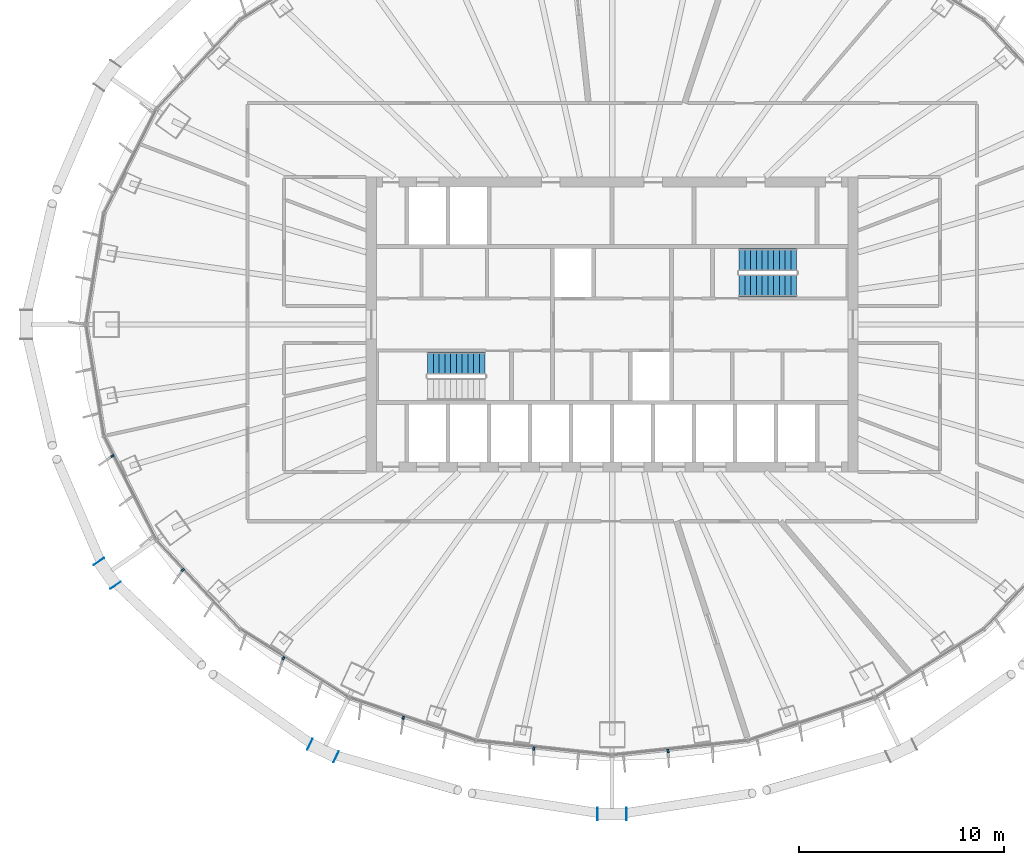
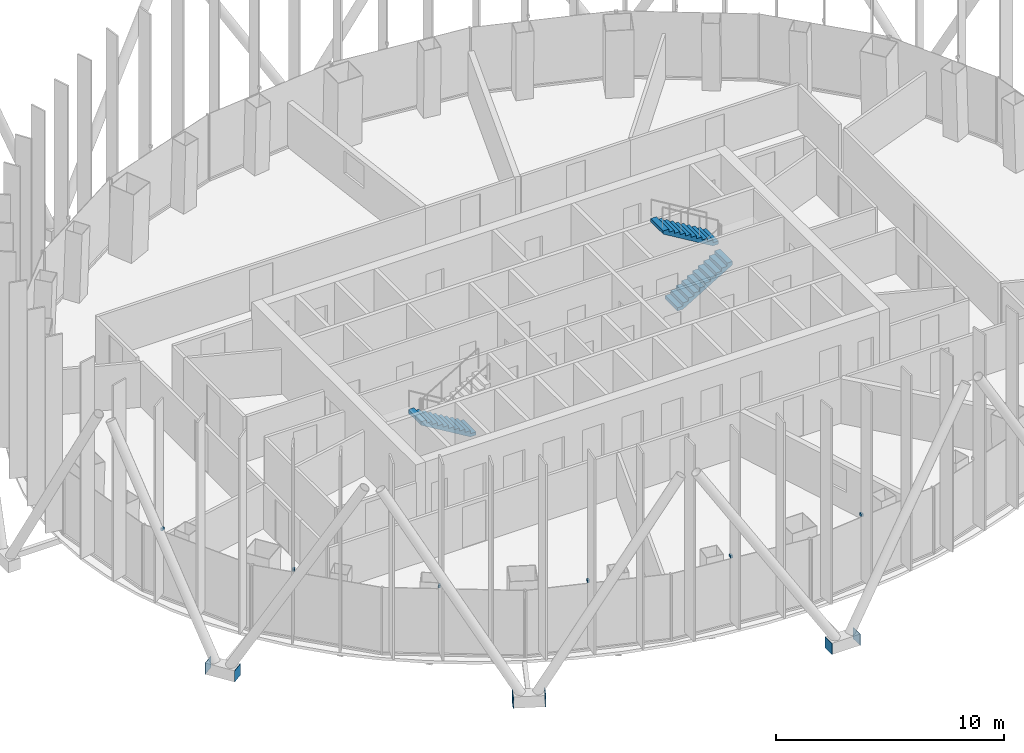
# One storey, part 12 of 20: 12 discrete accessories, 3 stair flights, 2 elements without a shape of their own.
"""IFC4 building model written with IfcOpenShell, lengths in metres."""

import ifcopenshell
import ifcopenshell.guid

model = None  # the IFC model being written
_history = None  # IfcOwnerHistory: only IFC2X3 demands one
_inside = {}  # id of a spatial element -> (the spatial element, [elements in it])
_under = {}  # id of a project, library or spatial element -> (it, [spatial elements below it])
_declared = {}  # id of a project -> (the project, [libraries it declares])
_typed = {}  # id of a type object -> (the type object, [elements of that type])
_made_of = {}  # id of a material, layer set ... -> (it, [elements and type objects made of it])


def new_model(schema):
    """Start an empty IFC model of exactly this schema.

    Asked for "IFC4X3", IfcOpenShell would pick the latest addendum, in which some entities
    have other attributes; the version numbers below select the first issue.
    IFC2X3 requires an IfcOwnerHistory on every rooted entity: one is made here for all.
    """
    global model, _history
    if schema == "IFC4X3":
        model = ifcopenshell.file(schema_version=(4, 3, 0, 0))
    else:
        model = ifcopenshell.file(schema=schema)
    _inside.clear()
    _under.clear()
    _declared.clear()
    _typed.clear()
    _made_of.clear()
    _history = None
    if model.schema == "IFC2X3":
        org = make("IfcOrganization", Name="unknown")
        user = make(
            "IfcPersonAndOrganization",
            ThePerson=make("IfcPerson", FamilyName="unknown"),
            TheOrganization=org,
        )
        app = make(
            "IfcApplication",
            ApplicationDeveloper=org,
            Version="unknown",
            ApplicationFullName="unknown",
            ApplicationIdentifier="unknown",
        )
        _history = make(
            "IfcOwnerHistory",
            OwningUser=user,
            OwningApplication=app,
            ChangeAction="ADDED",
            CreationDate=0,
        )
    return model


def make(cls, **values):
    """One entity of the class cls with the attributes given. An attribute that is None is left unset."""
    return model.create_entity(
        cls, **{name: value for name, value in values.items() if value is not None}
    )


def rooted(cls, **values):
    """An entity with a GlobalId (a new one), such as an element, a storey or a relation."""
    return make(cls, GlobalId=ifcopenshell.guid.new(), OwnerHistory=_history, **values)


def si_unit(unit_type, name, prefix=None):
    """IfcSIUnit, for example si_unit("LENGTHUNIT", "METRE", prefix="MILLI")."""
    return make("IfcSIUnit", UnitType=unit_type, Prefix=prefix, Name=name)


def assignment(units):
    """IfcUnitAssignment: the units of a project."""
    return None if units is None else make("IfcUnitAssignment", Units=units)


def point(xyz):
    """IfcCartesianPoint."""
    return None if xyz is None else make("IfcCartesianPoint", Coordinates=xyz)


def direction(xyz):
    """IfcDirection."""
    return None if xyz is None else make("IfcDirection", DirectionRatios=xyz)


def frame(location, z_axis=None, x_axis=None):
    """IfcAxis2Placement3D, a coordinate frame: its origin and axes. An axis left out is left unset."""
    return make(
        "IfcAxis2Placement3D",
        Location=point(location),
        Axis=direction(z_axis),
        RefDirection=direction(x_axis),
    )


def frame_2d(location, x_axis=None):
    """IfcAxis2Placement2D, a coordinate frame in the plane: its origin and x axis."""
    return make(
        "IfcAxis2Placement2D", Location=point(location), RefDirection=direction(x_axis)
    )


def origin():
    """The frame at (0, 0, 0) with its axes left unset."""
    return frame((0.0, 0.0, 0.0))


def origin_2d():
    """The frame at (0, 0) in the plane with its x axis left unset."""
    return frame_2d((0.0, 0.0))


def place(relative_to, where):
    """IfcLocalPlacement: puts the frame where relative to a parent placement (None: the world)."""
    return make(
        "IfcLocalPlacement", PlacementRelTo=relative_to, RelativePlacement=where
    )


def context(
    kind, dimensions, precision=None, world=None, true_north=None, identifier=None
):
    """IfcGeometricRepresentationContext, for example the 3D "Model" context."""
    return make(
        "IfcGeometricRepresentationContext",
        ContextIdentifier=identifier,
        ContextType=kind,
        CoordinateSpaceDimension=dimensions,
        Precision=precision,
        WorldCoordinateSystem=world,
        TrueNorth=true_north,
    )


def subcontext(parent, identifier, kind, view, scale=None):
    """IfcGeometricRepresentationSubContext, for example "Body" below "Model"."""
    return make(
        "IfcGeometricRepresentationSubContext",
        ContextIdentifier=identifier,
        ContextType=kind,
        ParentContext=parent,
        TargetScale=scale,
        TargetView=view,
    )


def project(units=None, contexts=None):
    """IfcProject with its units and contexts."""
    return rooted(
        "IfcProject",
        Name="project",
        RepresentationContexts=contexts,
        UnitsInContext=assignment(units),
    )


def spatial(cls, under=None, at=None, **own):
    """A site, building, storey or space (cls), placed at a placement, below another one or the project."""
    s = rooted(cls, ObjectPlacement=at, **own)
    if under is not None:
        _under.setdefault(under.id(), (under, []))[1].append(s)
    return s


def polyline(points):
    """IfcPolyline through the points."""
    return make("IfcPolyline", Points=[point(p) for p in points])


def profile(cls, at=None, kind="AREA", **sizes):
    """A parametric profile (cls). Its sizes go by their IFC names, for example OverallWidth=200.0."""
    return make(cls, ProfileType=kind, Position=at, **sizes)


def rectangle(**sizes):
    """IfcRectangleProfileDef."""
    return profile("IfcRectangleProfileDef", **sizes)


def outline(outer, holes=None, kind="AREA"):
    """IfcArbitraryClosedProfileDef: a profile drawn as a closed curve; with holes, ...WithVoids."""
    if holes is None:
        return make("IfcArbitraryClosedProfileDef", ProfileType=kind, OuterCurve=outer)
    return make(
        "IfcArbitraryProfileDefWithVoids",
        ProfileType=kind,
        OuterCurve=outer,
        InnerCurves=holes,
    )


def extrude(swept, where, along, depth):
    """IfcExtrudedAreaSolid: the profile swept, set in the frame where, extruded along a direction by depth."""
    return make(
        "IfcExtrudedAreaSolid",
        SweptArea=swept,
        Position=where,
        ExtrudedDirection=direction(along),
        Depth=depth,
    )


def shape(context_of_items, identifier, shape_type, items):
    """IfcShapeRepresentation: the items that make up one representation, for example the "Body"."""
    return make(
        "IfcShapeRepresentation",
        ContextOfItems=context_of_items,
        RepresentationIdentifier=identifier,
        RepresentationType=shape_type,
        Items=items,
    )


def material(Name=None, Category=None):
    """IfcMaterial."""
    return make("IfcMaterial", Name=Name, Category=Category)


def layer(
    of_material, thickness, ventilated=None, Name=None, Category=None, Priority=None
):
    """IfcMaterialLayer: one layer of a wall or slab, of a material (None: an air gap)."""
    return make(
        "IfcMaterialLayer",
        Material=of_material,
        LayerThickness=thickness,
        IsVentilated=ventilated,
        Name=Name,
        Category=Category,
        Priority=Priority,
    )


def layer_set(layers, Name=None):
    """IfcMaterialLayerSet."""
    return make("IfcMaterialLayerSet", MaterialLayers=layers, LayerSetName=Name)


def made_of(thing, what):
    """Note that an element or type object is made of a material, layer set ...; save() writes the relation."""
    if what is not None:
        _made_of.setdefault(what.id(), (what, []))[1].append(thing)
    return thing


def type_object(cls, material=None, **own):
    """A type object (cls), such as IfcWallType, which elements share."""
    return made_of(rooted(cls, **own), material)


def element(
    cls,
    number,
    at=None,
    inside=None,
    cuts=None,
    type_object=None,
    material=None,
    context=None,
    identifier="Body",
    shape_type=None,
    held_by="IfcProductDefinitionShape",
    body=None,
    shapes=None,
    **own,
):
    """One element of the class cls, such as IfcWall. Its Tag is "e" and its number.

    at: its placement. inside: the storey or other place that contains it. cuts: it is an
    opening in that element (IfcRelVoidsElement). A single representation is given by context,
    identifier, shape_type and body (its items); several are given by shapes. held_by: the class
    of the entity that holds the representations. save() writes the other relations.
    """
    e = rooted(cls, Tag="e%d" % number, ObjectPlacement=at, **own)
    if body is not None:
        shapes = [shape(context, identifier, shape_type, body)]
    if shapes is not None:
        e.Representation = make(held_by, Representations=shapes)
    if inside is not None:
        _inside.setdefault(inside.id(), (inside, []))[1].append(e)
    if cuts is not None:
        rooted(
            "IfcRelVoidsElement", RelatingBuildingElement=cuts, RelatedOpeningElement=e
        )
    if type_object is not None:
        _typed.setdefault(type_object.id(), (type_object, []))[1].append(e)
    return made_of(e, material)


def aggregate(whole, parts):
    """IfcRelAggregates: a whole, such as a stair, and the parts it consists of."""
    return rooted("IfcRelAggregates", RelatingObject=whole, RelatedObjects=parts)


def save(model, path):
    """Write the relations noted so far, then the file.

    IfcRelAggregates (storeys below a building ...), IfcRelContainedInSpatialStructure (elements
    in a storey), IfcRelDefinesByType, IfcRelAssociatesMaterial and IfcRelDeclares: one each for
    every whole, place, type object, material and project.
    """
    for whole, parts in _under.values():
        aggregate(whole, parts)
    for where, things in _inside.values():
        rooted(
            "IfcRelContainedInSpatialStructure",
            RelatedElements=things,
            RelatingStructure=where,
        )
    for kind, things in _typed.values():
        rooted("IfcRelDefinesByType", RelatedObjects=things, RelatingType=kind)
    for what, things in _made_of.values():
        rooted("IfcRelAssociatesMaterial", RelatedObjects=things, RelatingMaterial=what)
    for by, libraries in _declared.values():
        rooted("IfcRelDeclares", RelatingContext=by, RelatedDefinitions=libraries)
    model.write(path)


model = new_model("IFC4")

# Units and contexts
model_context = context("Model", 3, precision=1e-05, world=origin(), true_north=direction((0.0, 1.0)))
body_context = subcontext(model_context, "Body", "Model", "MODEL_VIEW")
ifc_project = project(units=[si_unit("LENGTHUNIT", "METRE"), si_unit("AREAUNIT", "SQUARE_METRE"), si_unit("VOLUMEUNIT", "CUBIC_METRE"), si_unit("PLANEANGLEUNIT", "RADIAN"), si_unit("MASSUNIT", "GRAM", prefix="KILO")], contexts=[model_context])

# Site, building, storey
site_placement = place(None, origin())
site = spatial("IfcSite", under=ifc_project, at=site_placement, CompositionType="ELEMENT")
building_placement = place(site_placement, origin())
building = spatial("IfcBuilding", under=site, at=building_placement, Name="Siaravel Broadcast Tower", CompositionType="ELEMENT")
storey_placement = place(building_placement, frame((0.0, 0.0, 108.199951171875)))
storey = spatial("IfcBuildingStorey", under=building, at=storey_placement, Name="L25", CompositionType="ELEMENT", Elevation=108.199951171875)

# Stair, stair flight
ifc_material_1 = material(Name="Concrete C40/50", Category="concrete")
stair_type = type_object("IfcStairType", Name="Core exit stair", PredefinedType="HALF_TURN_STAIR", material=ifc_material_1)
stair_1_placement = place(storey_placement, origin())
stair_1 = element("IfcStair", 1, at=stair_1_placement, inside=storey, type_object=stair_type, Name="L25 Exit stair ST-1", PredefinedType="HALF_TURN_STAIR")
stair_flight_type = type_object("IfcStairFlightType", Name="Stair flight 1100", PredefinedType="STRAIGHT", material=ifc_material_1)
stair_flight_1_placement = place(storey_placement, frame((-6.199951171875, -1.89990234375, 0.0), z_axis=(0.0, 0.0, 1.0), x_axis=(-1.0, 0.0, 0.0)))
stair_flight_1 = element("IfcStairFlight", 2, at=stair_flight_1_placement, type_object=stair_flight_type, Name="ST-1 flight 1", NumberOfRisers=11, NumberOfTreads=10, PredefinedType="STRAIGHT", RiserHeight=0.1681818, TreadLength=0.28, context=body_context, shape_type="SweptSolid", body=[
    extrude(outline(polyline([(0.0, 0.0), (0.0, 0.168212890625), (0.280029296875, 0.168212890625), (0.280029296875, 0.33642578125), (0.56005859375, 0.33642578125), (0.56005859375, 0.504638671875), (0.840087890625, 0.504638671875), (0.840087890625, 0.672607421875), (1.1201171875, 0.672607421875), (1.1201171875, 0.8408203125), (1.39990234375, 0.8408203125), (1.39990234375, 1.009033203125), (1.679931640625, 1.009033203125), (1.679931640625, 1.17724609375), (1.9599609375, 1.17724609375), (1.9599609375, 1.345458984375), (2.239990234375, 1.345458984375), (2.239990234375, 1.513671875), (2.52001953125, 1.513671875), (2.52001953125, 1.681884765625), (2.800048828125, 1.681884765625), (2.800048828125, 1.85009765625), (2.800048828125, 1.5068359375), (0.291015625, 0.0), (0.0, 0.0)])), frame((0.0, 0.550048828125, 0.0), z_axis=(0.0, -1.0, 0.0), x_axis=(1.0, 0.0, 0.0)), (0.0, 0.0, 1.0), 1.10009765625),
])
aggregate(stair_1, [stair_flight_1])

# Stair, stair flights
stair_2_placement = place(storey_placement, origin())
stair_2 = element("IfcStair", 3, at=stair_2_placement, inside=storey, type_object=stair_type, Name="L25 Exit stair ST-2", PredefinedType="HALF_TURN_STAIR")
stair_flight_2_placement = place(storey_placement, frame((6.199951171875, 1.89990234375, 0.0), z_axis=(0.0, 0.0, 1.0), x_axis=(1.0, 0.0, 0.0)))
stair_flight_2 = element("IfcStairFlight", 4, at=stair_flight_2_placement, type_object=stair_flight_type, Name="ST-2 flight 1", NumberOfRisers=11, NumberOfTreads=10, PredefinedType="STRAIGHT", RiserHeight=0.1681818, TreadLength=0.28, context=body_context, shape_type="SweptSolid", body=[
    extrude(outline(polyline([(0.0, 0.0), (0.0, 0.168212890625), (0.280029296875, 0.168212890625), (0.280029296875, 0.33642578125), (0.56005859375, 0.33642578125), (0.56005859375, 0.504638671875), (0.840087890625, 0.504638671875), (0.840087890625, 0.672607421875), (1.1201171875, 0.672607421875), (1.1201171875, 0.8408203125), (1.39990234375, 0.8408203125), (1.39990234375, 1.009033203125), (1.679931640625, 1.009033203125), (1.679931640625, 1.17724609375), (1.9599609375, 1.17724609375), (1.9599609375, 1.345458984375), (2.239990234375, 1.345458984375), (2.239990234375, 1.513671875), (2.52001953125, 1.513671875), (2.52001953125, 1.681884765625), (2.800048828125, 1.681884765625), (2.800048828125, 1.85009765625), (2.800048828125, 1.5068359375), (0.291015625, 0.0), (0.0, 0.0)])), frame((0.0, 0.550048828125, 0.0), z_axis=(0.0, -1.0, 0.0), x_axis=(1.0, 0.0, 0.0)), (0.0, 0.0, 1.0), 1.10009765625),
])
stair_flight_3_placement = place(storey_placement, frame((9.0, 3.14990234375, 1.85009765625), z_axis=(0.0, 0.0, 1.0), x_axis=(-1.0, 0.0, 0.0)))
stair_flight_3 = element("IfcStairFlight", 5, at=stair_flight_3_placement, type_object=stair_flight_type, Name="ST-2 flight 2", NumberOfRisers=11, NumberOfTreads=10, PredefinedType="STRAIGHT", RiserHeight=0.1681818, TreadLength=0.28, context=body_context, shape_type="SweptSolid", body=[
    extrude(outline(polyline([(0.0, 0.0), (0.0, 0.168212890625), (0.280029296875, 0.168212890625), (0.280029296875, 0.33642578125), (0.56005859375, 0.33642578125), (0.56005859375, 0.504638671875), (0.840087890625, 0.504638671875), (0.840087890625, 0.672607421875), (1.1201171875, 0.672607421875), (1.1201171875, 0.8408203125), (1.39990234375, 0.8408203125), (1.39990234375, 1.009033203125), (1.679931640625, 1.009033203125), (1.679931640625, 1.17724609375), (1.9599609375, 1.17724609375), (1.9599609375, 1.345458984375), (2.239990234375, 1.345458984375), (2.239990234375, 1.513671875), (2.52001953125, 1.513671875), (2.52001953125, 1.681884765625), (2.800048828125, 1.681884765625), (2.800048828125, 1.85009765625), (2.800048828125, 1.5068359375), (0.291015625, 0.0), (0.0, 0.0)])), frame((0.0, 0.550048828125, 0.0), z_axis=(0.0, -1.0, 0.0), x_axis=(1.0, 0.0, 0.0)), (0.0, 0.0, 1.0), 1.10009765625),
])
aggregate(stair_2, [stair_flight_2, stair_flight_3])

# Discrete accessories
ifc_material_2 = material(Name="Stainless steel 316", Category="steel")
discrete_accessory_type_1 = type_object("IfcDiscreteAccessoryType", Name="Stainless steel fin bracket", PredefinedType="USERDEFINED", material=ifc_material_2)
for number, where, z_axis, x_axis, name in (
    (6, (-24.3779296875, -6.4169921875, 3.68505859375), (0.0, 0.0, 1.0), (-0.892392151, -0.451260732, 0.0), "Fin bracket L25-37"),
    (7, (-20.954345703125, -11.97900390625, 3.68505859375), (0.0, 0.0, 1.0), (-0.729804415, -0.683655992, 0.0), "Fin bracket L25-40"),
    (8, (-16.039306640625, -16.282470703125, 3.68505859375), (0.0, 0.0, 1.0), (-0.532149452, -0.846650436, 0.0), "Fin bracket L25-43"),
    (9, (-10.1826171875, -19.189453125, 3.68505859375), (0.0, 0.0, 1.0), (-0.321300635, -0.946977245, 0.0), "Fin bracket L25-46"),
    (10, (-3.815185546875, -20.692626953125, 3.68505859375), (0.0, 0.0, 1.0), (-0.107216783, -0.994235667, 0.0), "Fin bracket L25-49"),
    (11, (2.727783203125, -20.809814453125, 3.68505859375), (0.0, 0.0, 1.0), (0.107216783, -0.994235667, 0.0), "Fin bracket L25-52"),
):
    element("IfcDiscreteAccessory", number, at=place(storey_placement, frame(where, z_axis=z_axis, x_axis=x_axis)), inside=storey, type_object=discrete_accessory_type_1, Name=name, ObjectType="BRACKET", PredefinedType="USERDEFINED", context=body_context, shape_type="SweptSolid", body=[
        extrude(rectangle(XDim=0.159912109375, YDim=0.10009765625, at=origin_2d()), origin(), (0.0, 0.0, 1.0), 0.139892578125),
    ])
ifc_material_3 = material(Name="Steel S355", Category="steel")
ifc_layer = layer(ifc_material_3, 0.02001953125)
ifc_layer_set = layer_set([ifc_layer], Name="Steel S355")
discrete_accessory_type_2 = type_object("IfcDiscreteAccessoryType", Name="Steel end plate 20 mm", PredefinedType="USERDEFINED", material=ifc_layer_set)
for number, where, z_axis, x_axis, name in (
    (12, (-24.2236328125, -12.722412109375, -0.5), (0.0, 0.0, 1.0), (0.576119939, -0.817365167, 0.0), "End plate R11 station 42A"),
    (13, (-25.041748046875, -11.56201171875, -0.5), (0.0, 0.0, 1.0), (0.576119939, -0.817365167, 0.0), "End plate R11 station 42B"),
    (14, (-13.464599609375, -21.090087890625, -0.5), (0.0, 0.0, 1.0), (0.904007202, -0.427517227, 0.0), "End plate R11 station 48A"),
    (15, (-14.748046875, -20.483154296875, -0.5), (0.0, 0.0, 1.0), (0.904007202, -0.427517227, 0.0), "End plate R11 station 48B"),
    (16, (0.7099609375, -23.88818359375, -0.5), (0.0, 0.0, 1.0), (1.0, 0.0, 0.0), "End plate R11 station 54A"),
    (17, (-0.7099609375, -23.88818359375, -0.5), (0.0, 0.0, 1.0), (1.0, 0.0, 0.0), "End plate R11 station 54B"),
):
    element("IfcDiscreteAccessory", number, at=place(storey_placement, frame(where, z_axis=z_axis, x_axis=x_axis)), inside=storey, type_object=discrete_accessory_type_2, Name=name, ObjectType="END PLATE", PredefinedType="USERDEFINED", context=body_context, shape_type="SweptSolid", body=[
        extrude(rectangle(XDim=0.02001953125, YDim=0.60009765625, at=origin_2d()), origin(), (0.0, 0.0, 1.0), 0.60009765625),
    ])

save(model, "model.ifc")
